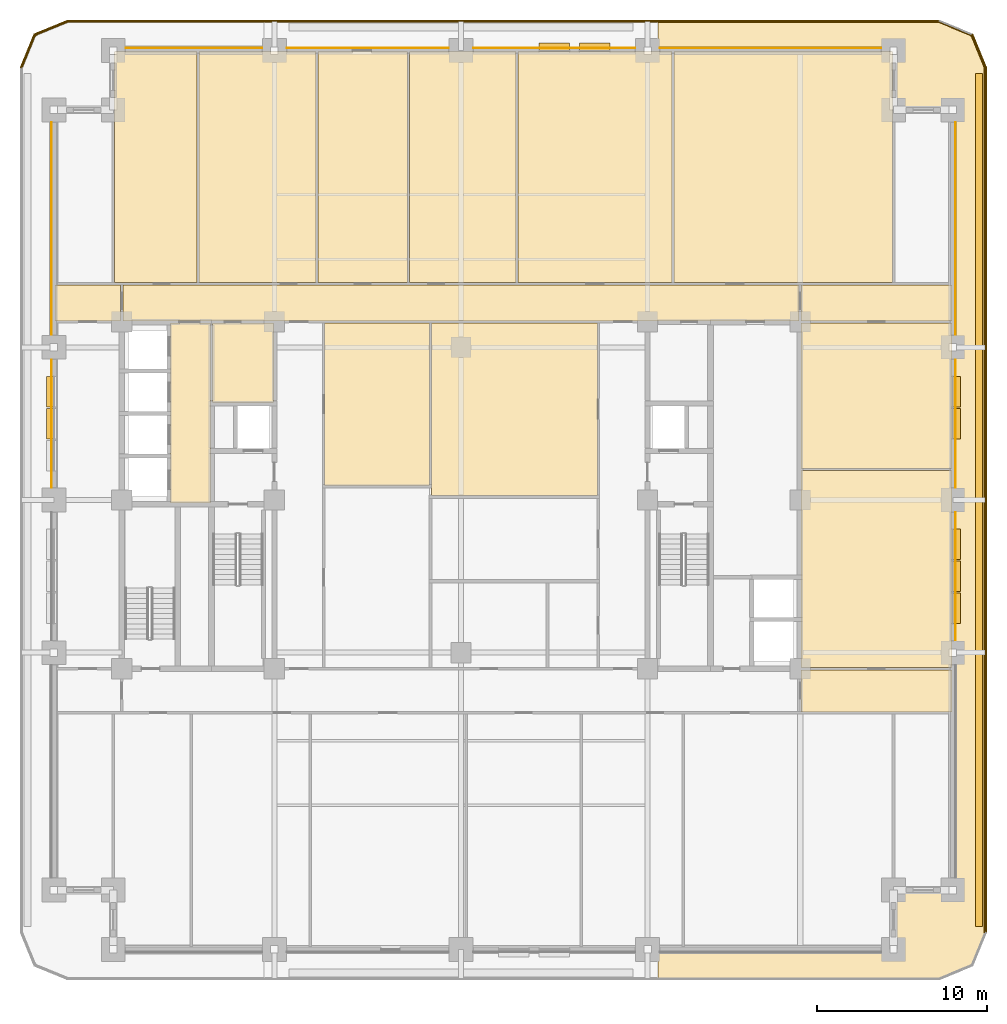
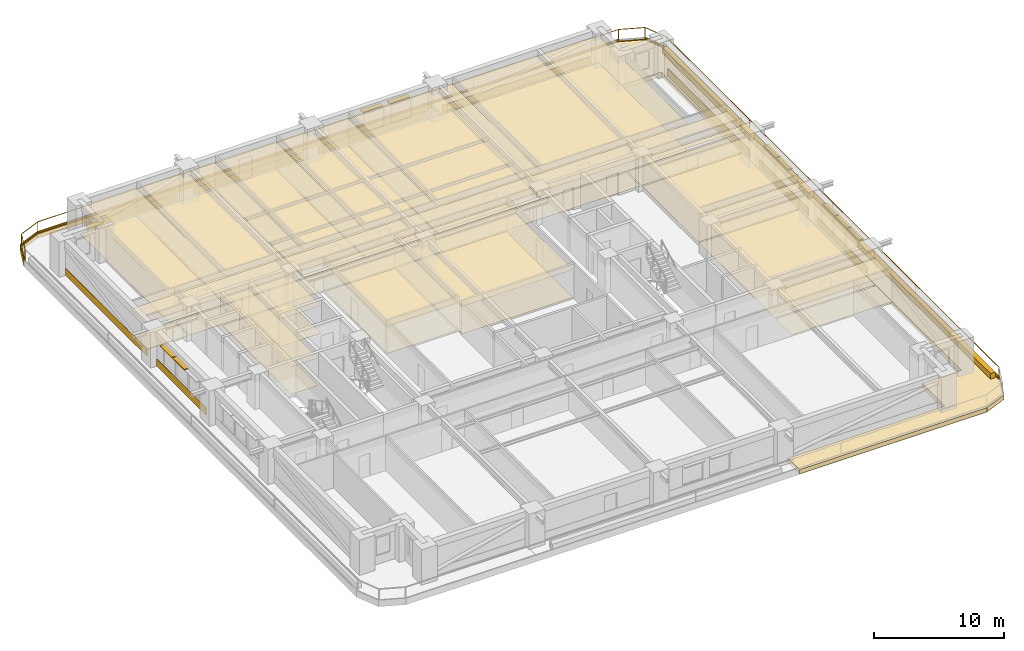
# One storey, part 13 of 14: 48 coverings, 9 shading devices, 2 railings.
"""IFC4 building model written with IfcOpenShell, lengths in metres."""

from ifc_helpers import new_model, si_unit, direction, frame, frame_2d, origin, origin_2d, place, context, subcontext, project, spatial, polyline, rectangle, outline, extrude, material, layer, layer_set, type_object, element, save


model = new_model("IFC4")

# Units and contexts
model_context = context("Model", 3, precision=1e-05, world=origin(), true_north=direction((0.0, 1.0)))
body_context = subcontext(model_context, "Body", "Model", "MODEL_VIEW")
ifc_project = project(units=[si_unit("LENGTHUNIT", "METRE"), si_unit("AREAUNIT", "SQUARE_METRE"), si_unit("VOLUMEUNIT", "CUBIC_METRE"), si_unit("PLANEANGLEUNIT", "RADIAN"), si_unit("MASSUNIT", "GRAM", prefix="KILO")], contexts=[model_context])

# Site, building, storey
site_placement = place(None, origin())
site = spatial("IfcSite", under=ifc_project, at=site_placement, CompositionType="ELEMENT")
building_placement = place(site_placement, origin())
building = spatial("IfcBuilding", under=site, at=building_placement, Name="Zulmaris Gate Convention Tower", CompositionType="ELEMENT")
storey_placement = place(building_placement, frame((0.0, 0.0, 30.77001953125)))
storey = spatial("IfcBuildingStorey", under=building, at=storey_placement, Name="L06", CompositionType="ELEMENT", Elevation=30.77001953125)

# Coverings
ifc_material_1 = material(Name="Precast concrete C40/50", Category="concrete")
ifc_layer_1 = layer(ifc_material_1, 0.0400390625, Name="Precast concrete C40/50")
ifc_layer_set_1 = layer_set([ifc_layer_1], Name="Precast concrete C40/50")
covering_type_1 = type_object("IfcCoveringType", Name="CLAD-SPANDREL-PRECAST", PredefinedType="CLADDING", material=ifc_layer_set_1)
covering_1_placement = place(storey_placement, frame((-11.72998046875, 26.64990234375, 0.0), z_axis=(0.0, 0.0, 1.0), x_axis=(-1.0, 0.0, 0.0)))
element("IfcCovering", 1, at=covering_1_placement, inside=storey, type_object=covering_type_1, Name="CLD-L06-N-0_0", PredefinedType="CLADDING", context=body_context, shape_type="SweptSolid", body=[
    extrude(rectangle(XDim=8.0400390625, YDim=0.0400390625, at=frame_2d((4.02001953125, 0.0))), origin(), (0.0, 0.0, 1.0), 0.679931640625),
])
for number, where, z_axis, x_axis, name in (
    (2, (-0.72998046875, 26.64990234375, 0.0), (0.0, 0.0, 1.0), (-1.0, 0.0, 0.0), "CLD-L06-N-1_0"),
    (3, (10.27001953125, 26.64990234375, 0.0), (0.0, 0.0, 1.0), (-1.0, 0.0, 0.0), "CLD-L06-N-2_0"),
):
    element("IfcCovering", number, at=place(storey_placement, frame(where, z_axis=z_axis, x_axis=x_axis)), inside=storey, type_object=covering_type_1, Name=name, PredefinedType="CLADDING", context=body_context, shape_type="SweptSolid", body=[
        extrude(rectangle(XDim=9.5400390625, YDim=0.0400390625, at=frame_2d((4.77001953125, 0.0))), origin(), (0.0, 0.0, 1.0), 0.679931640625),
    ])
covering_2_placement = place(storey_placement, frame((24.77001953125, 26.64990234375, 0.0), z_axis=(0.0, 0.0, 1.0), x_axis=(-1.0, 0.0, 0.0)))
element("IfcCovering", 4, at=covering_2_placement, inside=storey, type_object=covering_type_1, Name="CLD-L06-N-3_0", PredefinedType="CLADDING", context=body_context, shape_type="SweptSolid", body=[
    extrude(rectangle(XDim=13.0400390625, YDim=0.0400390625, at=frame_2d((6.52001953125, 0.0))), origin(), (0.0, 0.0, 1.0), 0.679931640625),
])
for number, where, z_axis, x_axis, name in (
    (5, (29.14990234375, -8.27001953125, 0.0), (0.0, 0.0, 1.0), (0.0, 1.0, 0.0), "CLD-L06-E-1_0"),
    (6, (29.14990234375, 0.72998046875, 0.0), (0.0, 0.0, 1.0), (0.0, 1.0, 0.0), "CLD-L06-E-2_0"),
):
    element("IfcCovering", number, at=place(storey_placement, frame(where, z_axis=z_axis, x_axis=x_axis)), inside=storey, type_object=covering_type_1, Name=name, PredefinedType="CLADDING", context=body_context, shape_type="SweptSolid", body=[
        extrude(rectangle(XDim=7.5400390625, YDim=0.0400390625, at=frame_2d((3.77001953125, 0.0))), origin(), (0.0, 0.0, 1.0), 0.679931640625),
    ])
covering_3_placement = place(storey_placement, frame((29.14990234375, 9.72998046875, 0.0), z_axis=(0.0, 0.0, 1.0), x_axis=(0.0, 1.0, 0.0)))
element("IfcCovering", 7, at=covering_3_placement, inside=storey, type_object=covering_type_1, Name="CLD-L06-E-3_0", PredefinedType="CLADDING", context=body_context, shape_type="SweptSolid", body=[
    extrude(rectangle(XDim=12.5400390625, YDim=0.0400390625, at=frame_2d((6.27001953125, 0.0))), origin(), (0.0, 0.0, 1.0), 0.679931640625),
])
covering_4_placement = place(storey_placement, frame((-24.14990234375, 8.27001953125, 0.0), z_axis=(0.0, 0.0, 1.0), x_axis=(0.0, -1.0, 0.0)))
element("IfcCovering", 8, at=covering_4_placement, inside=storey, type_object=covering_type_1, Name="CLD-L06-W-2_0", PredefinedType="CLADDING", context=body_context, shape_type="SweptSolid", body=[
    extrude(rectangle(XDim=7.5400390625, YDim=0.0400390625, at=frame_2d((3.77001953125, 0.0))), origin(), (0.0, 0.0, 1.0), 0.679931640625),
])
covering_5_placement = place(storey_placement, frame((-24.14990234375, 22.27001953125, 0.0), z_axis=(0.0, 0.0, 1.0), x_axis=(0.0, -1.0, 0.0)))
element("IfcCovering", 9, at=covering_5_placement, inside=storey, type_object=covering_type_1, Name="CLD-L06-W-3_0", PredefinedType="CLADDING", context=body_context, shape_type="SweptSolid", body=[
    extrude(rectangle(XDim=12.5400390625, YDim=0.0400390625, at=frame_2d((6.27001953125, 0.0))), origin(), (0.0, 0.0, 1.0), 0.679931640625),
])
ifc_material_2 = material(Name="White Glazed Architectural Precast Concrete C40/50", Category="concrete")
ifc_layer_2 = layer(ifc_material_2, 0.239990234375, Name="White Glazed Architectural Precast Concrete C40/50")
ifc_layer_set_2 = layer_set([ifc_layer_2], Name="White Glazed Architectural Precast Concrete C40/50")
covering_type_2 = type_object("IfcCoveringType", Name="CLAD-TRAY-DECK", PredefinedType="CLADDING", material=ifc_layer_set_2)
covering_6_placement = place(storey_placement, frame((0.0, 0.0, -0.449951171875)))
element("IfcCovering", 10, at=covering_6_placement, inside=storey, type_object=covering_type_2, Name="L06 East Rounded-Fascia Planter Tray Deck", PredefinedType="CLADDING", context=body_context, shape_type="SweptSolid", body=[
    extrude(outline(polyline([(28.199951171875, 28.300048828125), (30.179931640625, 27.47998046875), (31.0, 25.5), (31.0, -25.5), (30.179931640625, -27.47998046875), (28.199951171875, -28.300048828125), (11.60205078125, -28.300048828125), (11.60205078125, -26.5), (25.5, -26.5), (25.5, -23.0), (29.0, -23.0), (29.0, 23.0), (25.5, 23.0), (25.5, 26.5), (11.60205078125, 26.5), (11.60205078125, 28.300048828125), (28.199951171875, 28.300048828125)])), origin(), (0.0, 0.0, 1.0), 0.409912109375),
])
ifc_layer_3 = layer(ifc_material_2, 0.080078125, Name="White Glazed Architectural Precast Concrete C40/50")
ifc_layer_set_3 = layer_set([ifc_layer_3], Name="White Glazed Architectural Precast Concrete C40/50")
covering_type_3 = type_object("IfcCoveringType", Name="CLAD-TRAY-FASCIA", PredefinedType="CLADDING", material=ifc_layer_set_3)
covering_7_placement = place(storey_placement, frame((30.9599609375, -25.5, -0.489990234375), z_axis=(0.0, 0.0, 1.0), x_axis=(0.0, 1.0, 0.0)))
element("IfcCovering", 11, at=covering_7_placement, inside=storey, type_object=covering_type_3, Name="FSC-L06-TR-05", PredefinedType="CLADDING", context=body_context, shape_type="SweptSolid", body=[
    extrude(rectangle(XDim=51.0, YDim=0.080078125, at=frame_2d((25.5, 0.0))), origin(), (0.0, 0.0, 1.0), 0.60986328125),
])
covering_8_placement = place(storey_placement, frame((30.962890625, 25.484619140625, -0.489990234375), z_axis=(0.0, 0.0, 1.0), x_axis=(-0.382656984709, 0.923890487046, 0.0)))
element("IfcCovering", 12, at=covering_8_placement, inside=storey, type_object=covering_type_3, Name="FSC-L06-TR-06", PredefinedType="CLADDING", context=body_context, shape_type="SweptSolid", body=[
    extrude(rectangle(XDim=2.14306640625, YDim=0.080078125, at=frame_2d((1.071533203125, 0.0))), origin(), (0.0, 0.0, 1.0), 0.60986328125),
])
covering_9_placement = place(storey_placement, frame((28.199951171875, 28.260009765625, -0.489990234375), z_axis=(0.0, 0.0, 1.0), x_axis=(-1.0, 0.0, 0.0)))
element("IfcCovering", 13, at=covering_9_placement, inside=storey, type_object=covering_type_3, Name="FSC-L06-TR-08", PredefinedType="CLADDING", context=body_context, shape_type="SweptSolid", body=[
    extrude(rectangle(XDim=51.39990234375, YDim=0.080078125, at=frame_2d((25.699951171875, 0.0))), origin(), (0.0, 0.0, 1.0), 0.60986328125),
])
covering_10_placement = place(storey_placement, frame((-23.184814453125, 28.262939453125, -0.489990234375), z_axis=(0.0, 0.0, 1.0), x_axis=(-0.923873803533, -0.382697263049, 0.0)))
element("IfcCovering", 14, at=covering_10_placement, inside=storey, type_object=covering_type_3, Name="FSC-L06-TR-09", PredefinedType="CLADDING", context=body_context, shape_type="SweptSolid", body=[
    extrude(rectangle(XDim=2.142822265625, YDim=0.080078125, at=frame_2d((1.0712890625, 0.0))), origin(), (0.0, 0.0, 1.0), 0.60986328125),
])
covering_11_placement = place(storey_placement, frame((-25.142822265625, 27.464599609375, -0.489990234375), z_axis=(0.0, 0.0, 1.0), x_axis=(-0.382656984709, -0.923890487046, 0.0)))
element("IfcCovering", 15, at=covering_11_placement, inside=storey, type_object=covering_type_3, Name="FSC-L06-TR-10", PredefinedType="CLADDING", context=body_context, shape_type="SweptSolid", body=[
    extrude(rectangle(XDim=2.14306640625, YDim=0.080078125, at=frame_2d((1.071533203125, 0.0))), origin(), (0.0, 0.0, 1.0), 0.60986328125),
])
ifc_material_3 = material(Name="Mineral Fibre Acoustic Ceiling Tile")
ifc_layer_4 = layer(ifc_material_3, 0.02001953125, Name="Mineral Fibre Acoustic Ceiling Tile")
ifc_layer_set_4 = layer_set([ifc_layer_4], Name="Mineral Fibre Acoustic Ceiling Tile")
covering_type_4 = type_object("IfcCoveringType", Name="CLG-ACOUSTIC-600", PredefinedType="CEILING", material=ifc_layer_set_4)
covering_12_placement = place(storey_placement, frame((0.0, 0.0, 2.578125)))
element("IfcCovering", 16, at=covering_12_placement, inside=storey, type_object=covering_type_4, Name="CLG-L06-R11", PredefinedType="CEILING", context=body_context, shape_type="SweptSolid", body=[
    extrude(outline(polyline([(-14.639892578125, 5.760009765625), (-11.06005859375, 5.760009765625), (-11.06005859375, 10.43994140625), (-14.639892578125, 10.43994140625), (-14.639892578125, 5.760009765625)])), origin(), (0.0, 0.0, 1.0), 0.02001953125),
])
covering_13_placement = place(storey_placement, frame((0.0, 0.0, 2.578125)))
element("IfcCovering", 17, at=covering_13_placement, inside=storey, type_object=covering_type_4, Name="CLG-L06-R15", PredefinedType="CEILING", context=body_context, shape_type="SweptSolid", body=[
    extrude(outline(polyline([(-17.139892578125, -0.18994140625), (-14.760009765625, -0.18994140625), (-14.760009765625, 10.43994140625), (-17.139892578125, 10.43994140625), (-17.139892578125, -0.18994140625)])), origin(), (0.0, 0.0, 1.0), 0.02001953125),
])
covering_14_placement = place(storey_placement, frame((0.0, 0.0, 2.578125)))
element("IfcCovering", 18, at=covering_14_placement, inside=storey, type_object=covering_type_4, Name="CLG-L06-R26", PredefinedType="CEILING", context=body_context, shape_type="SweptSolid", body=[
    extrude(outline(polyline([(-19.93994140625, 10.56005859375), (19.93994140625, 10.56005859375), (19.93994140625, 12.68994140625), (-19.93994140625, 12.68994140625), (-19.93994140625, 10.56005859375)])), origin(), (0.0, 0.0, 1.0), 0.02001953125),
])
covering_15_placement = place(storey_placement, frame((0.0, 0.0, 2.630126953125)))
element("IfcCovering", 19, at=covering_15_placement, inside=storey, type_object=covering_type_4, Name="CLG-L06-R30", PredefinedType="CEILING", context=body_context, shape_type="SweptSolid", body=[
    extrude(outline(polyline([(-20.43994140625, 12.81005859375), (-15.56005859375, 12.81005859375), (-15.56005859375, 26.43994140625), (-20.43994140625, 26.43994140625), (-20.43994140625, 12.81005859375)])), origin(), (0.0, 0.0, 1.0), 0.02001953125),
])
covering_16_placement = place(storey_placement, frame((0.0, 0.0, 2.578125)))
element("IfcCovering", 20, at=covering_16_placement, inside=storey, type_object=covering_type_4, Name="CLG-L06-R31", PredefinedType="CEILING", context=body_context, shape_type="SweptSolid", body=[
    extrude(outline(polyline([(-15.43994140625, 12.81005859375), (-8.56005859375, 12.81005859375), (-8.56005859375, 26.43994140625), (-15.43994140625, 26.43994140625), (-15.43994140625, 12.81005859375)])), origin(), (0.0, 0.0, 1.0), 0.02001953125),
])
covering_17_placement = place(storey_placement, frame((0.0, 0.0, 2.630126953125)))
element("IfcCovering", 21, at=covering_17_placement, inside=storey, type_object=covering_type_4, Name="CLG-L06-R32", PredefinedType="CEILING", context=body_context, shape_type="SweptSolid", body=[
    extrude(outline(polyline([(-8.43994140625, 12.81005859375), (-3.159912109375, 12.81005859375), (-3.159912109375, 26.43994140625), (-8.43994140625, 26.43994140625), (-8.43994140625, 12.81005859375)])), origin(), (0.0, 0.0, 1.0), 0.02001953125),
])
covering_18_placement = place(storey_placement, frame((0.0, 0.0, 2.578125)))
element("IfcCovering", 22, at=covering_18_placement, inside=storey, type_object=covering_type_4, Name="CLG-L06-R33", PredefinedType="CEILING", context=body_context, shape_type="SweptSolid", body=[
    extrude(outline(polyline([(-3.0400390625, 12.81005859375), (3.239990234375, 12.81005859375), (3.239990234375, 26.43994140625), (-3.0400390625, 26.43994140625), (-3.0400390625, 12.81005859375)])), origin(), (0.0, 0.0, 1.0), 0.02001953125),
])
covering_19_placement = place(storey_placement, frame((0.0, 0.0, 2.578125)))
element("IfcCovering", 23, at=covering_19_placement, inside=storey, type_object=covering_type_4, Name="CLG-L06-R34", PredefinedType="CEILING", context=body_context, shape_type="SweptSolid", body=[
    extrude(outline(polyline([(3.360107421875, 12.81005859375), (12.43994140625, 12.81005859375), (12.43994140625, 26.43994140625), (3.360107421875, 26.43994140625), (3.360107421875, 12.81005859375)])), origin(), (0.0, 0.0, 1.0), 0.02001953125),
])
covering_20_placement = place(storey_placement, frame((0.0, 0.0, 2.578125)))
element("IfcCovering", 24, at=covering_20_placement, inside=storey, type_object=covering_type_4, Name="CLG-L06-R35", PredefinedType="CEILING", context=body_context, shape_type="SweptSolid", body=[
    extrude(outline(polyline([(12.56005859375, 12.81005859375), (25.43994140625, 12.81005859375), (25.43994140625, 26.43994140625), (12.56005859375, 26.43994140625), (12.56005859375, 12.81005859375)])), origin(), (0.0, 0.0, 1.0), 0.02001953125),
])
covering_21_placement = place(storey_placement, frame((0.0, 0.0, 2.578125)))
element("IfcCovering", 25, at=covering_21_placement, inside=storey, type_object=covering_type_4, Name="CLG-L06-R42", PredefinedType="CEILING", context=body_context, shape_type="SweptSolid", body=[
    extrude(outline(polyline([(-8.0400390625, 0.860107421875), (-1.860107421875, 0.860107421875), (-1.860107421875, 10.43994140625), (-8.0400390625, 10.43994140625), (-8.0400390625, 0.860107421875)])), origin(), (0.0, 0.0, 1.0), 0.02001953125),
])
covering_22_placement = place(storey_placement, frame((0.0, 0.0, 2.578125)))
element("IfcCovering", 26, at=covering_22_placement, inside=storey, type_object=covering_type_4, Name="CLG-L06-R44", PredefinedType="CEILING", context=body_context, shape_type="SweptSolid", body=[
    extrude(outline(polyline([(-1.739990234375, 0.260009765625), (8.0400390625, 0.260009765625), (8.0400390625, 10.43994140625), (-1.739990234375, 10.43994140625), (-1.739990234375, 0.260009765625)])), origin(), (0.0, 0.0, 1.0), 0.02001953125),
])
covering_23_placement = place(storey_placement, frame((0.0, 0.0, 2.578125)))
element("IfcCovering", 27, at=covering_23_placement, inside=storey, type_object=covering_type_4, Name="CLG-L06-R48", PredefinedType="CEILING", context=body_context, shape_type="SweptSolid", body=[
    extrude(outline(polyline([(-23.93994140625, 10.56005859375), (-20.06005859375, 10.56005859375), (-20.06005859375, 12.68994140625), (-23.93994140625, 12.68994140625), (-23.93994140625, 10.56005859375)])), origin(), (0.0, 0.0, 1.0), 0.02001953125),
])
covering_24_placement = place(storey_placement, frame((0.0, 0.0, 2.578125)))
element("IfcCovering", 28, at=covering_24_placement, inside=storey, type_object=covering_type_4, Name="CLG-L06-R51", PredefinedType="CEILING", context=body_context, shape_type="SweptSolid", body=[
    extrude(outline(polyline([(20.06005859375, 10.56005859375), (28.93994140625, 10.56005859375), (28.93994140625, 12.68994140625), (20.06005859375, 12.68994140625), (20.06005859375, 10.56005859375)])), origin(), (0.0, 0.0, 1.0), 0.02001953125),
])
covering_25_placement = place(storey_placement, frame((0.0, 0.0, 2.578125)))
element("IfcCovering", 29, at=covering_25_placement, inside=storey, type_object=covering_type_4, Name="CLG-L06-R52", PredefinedType="CEILING", context=body_context, shape_type="SweptSolid", body=[
    extrude(outline(polyline([(20.06005859375, -12.489990234375), (28.93994140625, -12.489990234375), (28.93994140625, -10.010009765625), (20.06005859375, -10.010009765625), (20.06005859375, -12.489990234375)])), origin(), (0.0, 0.0, 1.0), 0.02001953125),
])
covering_26_placement = place(storey_placement, frame((0.0, 0.0, 2.578125)))
element("IfcCovering", 30, at=covering_26_placement, inside=storey, type_object=covering_type_4, Name="CLG-L06-R53", PredefinedType="CEILING", context=body_context, shape_type="SweptSolid", body=[
    extrude(outline(polyline([(20.06005859375, 1.860107421875), (28.93994140625, 1.860107421875), (28.93994140625, 10.43994140625), (20.06005859375, 10.43994140625), (20.06005859375, 1.860107421875)])), origin(), (0.0, 0.0, 1.0), 0.02001953125),
])
covering_27_placement = place(storey_placement, frame((0.0, 0.0, 2.578125)))
element("IfcCovering", 31, at=covering_27_placement, inside=storey, type_object=covering_type_4, Name="CLG-L06-R54", PredefinedType="CEILING", context=body_context, shape_type="SweptSolid", body=[
    extrude(outline(polyline([(20.06005859375, -9.889892578125), (28.93994140625, -9.889892578125), (28.93994140625, 1.739990234375), (20.06005859375, 1.739990234375), (20.06005859375, -9.889892578125)])), origin(), (0.0, 0.0, 1.0), 0.02001953125),
])
ifc_material_4 = material(Name="Woven Acoustic Wool Carpet Tile")
ifc_layer_5 = layer(ifc_material_4, 0.02001953125, Name="Woven Acoustic Wool Carpet Tile")
ifc_layer_set_5 = layer_set([ifc_layer_5], Name="Woven Acoustic Wool Carpet Tile")
covering_type_5 = type_object("IfcCoveringType", Name="FLR-CARPET-12", PredefinedType="FLOORING", material=ifc_layer_set_5)
covering_28_placement = place(storey_placement, origin())
element("IfcCovering", 32, at=covering_28_placement, inside=storey, type_object=covering_type_5, Name="FLR-L06-R11", PredefinedType="FLOORING", context=body_context, shape_type="SweptSolid", body=[
    extrude(outline(polyline([(-14.639892578125, 5.760009765625), (-11.06005859375, 5.760009765625), (-11.06005859375, 10.43994140625), (-14.639892578125, 10.43994140625), (-14.639892578125, 5.760009765625)])), origin(), (0.0, 0.0, 1.0), 0.02001953125),
])
covering_29_placement = place(storey_placement, origin())
element("IfcCovering", 33, at=covering_29_placement, inside=storey, type_object=covering_type_5, Name="FLR-L06-R15", PredefinedType="FLOORING", context=body_context, shape_type="SweptSolid", body=[
    extrude(outline(polyline([(-17.139892578125, -0.18994140625), (-14.760009765625, -0.18994140625), (-14.760009765625, 10.43994140625), (-17.139892578125, 10.43994140625), (-17.139892578125, -0.18994140625)])), origin(), (0.0, 0.0, 1.0), 0.02001953125),
])
covering_30_placement = place(storey_placement, origin())
element("IfcCovering", 34, at=covering_30_placement, inside=storey, type_object=covering_type_5, Name="FLR-L06-R26", PredefinedType="FLOORING", context=body_context, shape_type="SweptSolid", body=[
    extrude(outline(polyline([(-19.93994140625, 10.56005859375), (19.93994140625, 10.56005859375), (19.93994140625, 12.68994140625), (-19.93994140625, 12.68994140625), (-19.93994140625, 10.56005859375)])), origin(), (0.0, 0.0, 1.0), 0.02001953125),
])
covering_31_placement = place(storey_placement, origin())
element("IfcCovering", 35, at=covering_31_placement, inside=storey, type_object=covering_type_5, Name="FLR-L06-R31", PredefinedType="FLOORING", context=body_context, shape_type="SweptSolid", body=[
    extrude(outline(polyline([(-15.43994140625, 12.81005859375), (-8.56005859375, 12.81005859375), (-8.56005859375, 26.43994140625), (-15.43994140625, 26.43994140625), (-15.43994140625, 12.81005859375)])), origin(), (0.0, 0.0, 1.0), 0.02001953125),
])
covering_32_placement = place(storey_placement, origin())
element("IfcCovering", 36, at=covering_32_placement, inside=storey, type_object=covering_type_5, Name="FLR-L06-R32", PredefinedType="FLOORING", context=body_context, shape_type="SweptSolid", body=[
    extrude(outline(polyline([(-8.43994140625, 12.81005859375), (-3.159912109375, 12.81005859375), (-3.159912109375, 26.43994140625), (-8.43994140625, 26.43994140625), (-8.43994140625, 12.81005859375)])), origin(), (0.0, 0.0, 1.0), 0.02001953125),
])
covering_33_placement = place(storey_placement, origin())
element("IfcCovering", 37, at=covering_33_placement, inside=storey, type_object=covering_type_5, Name="FLR-L06-R33", PredefinedType="FLOORING", context=body_context, shape_type="SweptSolid", body=[
    extrude(outline(polyline([(-3.0400390625, 12.81005859375), (3.239990234375, 12.81005859375), (3.239990234375, 26.43994140625), (-3.0400390625, 26.43994140625), (-3.0400390625, 12.81005859375)])), origin(), (0.0, 0.0, 1.0), 0.02001953125),
])
covering_34_placement = place(storey_placement, origin())
element("IfcCovering", 38, at=covering_34_placement, inside=storey, type_object=covering_type_5, Name="FLR-L06-R35", PredefinedType="FLOORING", context=body_context, shape_type="SweptSolid", body=[
    extrude(outline(polyline([(12.56005859375, 12.81005859375), (25.43994140625, 12.81005859375), (25.43994140625, 26.43994140625), (12.56005859375, 26.43994140625), (12.56005859375, 12.81005859375)])), origin(), (0.0, 0.0, 1.0), 0.02001953125),
])
covering_35_placement = place(storey_placement, origin())
element("IfcCovering", 39, at=covering_35_placement, inside=storey, type_object=covering_type_5, Name="FLR-L06-R44", PredefinedType="FLOORING", context=body_context, shape_type="SweptSolid", body=[
    extrude(outline(polyline([(-1.739990234375, 0.260009765625), (8.0400390625, 0.260009765625), (8.0400390625, 10.43994140625), (-1.739990234375, 10.43994140625), (-1.739990234375, 0.260009765625)])), origin(), (0.0, 0.0, 1.0), 0.02001953125),
])
covering_36_placement = place(storey_placement, origin())
element("IfcCovering", 40, at=covering_36_placement, inside=storey, type_object=covering_type_5, Name="FLR-L06-R48", PredefinedType="FLOORING", context=body_context, shape_type="SweptSolid", body=[
    extrude(outline(polyline([(-23.93994140625, 10.56005859375), (-20.06005859375, 10.56005859375), (-20.06005859375, 12.68994140625), (-23.93994140625, 12.68994140625), (-23.93994140625, 10.56005859375)])), origin(), (0.0, 0.0, 1.0), 0.02001953125),
])
covering_37_placement = place(storey_placement, origin())
element("IfcCovering", 41, at=covering_37_placement, inside=storey, type_object=covering_type_5, Name="FLR-L06-R51", PredefinedType="FLOORING", context=body_context, shape_type="SweptSolid", body=[
    extrude(outline(polyline([(20.06005859375, 10.56005859375), (28.93994140625, 10.56005859375), (28.93994140625, 12.68994140625), (20.06005859375, 12.68994140625), (20.06005859375, 10.56005859375)])), origin(), (0.0, 0.0, 1.0), 0.02001953125),
])
covering_38_placement = place(storey_placement, origin())
element("IfcCovering", 42, at=covering_38_placement, inside=storey, type_object=covering_type_5, Name="FLR-L06-R52", PredefinedType="FLOORING", context=body_context, shape_type="SweptSolid", body=[
    extrude(outline(polyline([(20.06005859375, -12.489990234375), (28.93994140625, -12.489990234375), (28.93994140625, -10.010009765625), (20.06005859375, -10.010009765625), (20.06005859375, -12.489990234375)])), origin(), (0.0, 0.0, 1.0), 0.02001953125),
])
covering_39_placement = place(storey_placement, origin())
element("IfcCovering", 43, at=covering_39_placement, inside=storey, type_object=covering_type_5, Name="FLR-L06-R53", PredefinedType="FLOORING", context=body_context, shape_type="SweptSolid", body=[
    extrude(outline(polyline([(20.06005859375, 1.860107421875), (28.93994140625, 1.860107421875), (28.93994140625, 10.43994140625), (20.06005859375, 10.43994140625), (20.06005859375, 1.860107421875)])), origin(), (0.0, 0.0, 1.0), 0.02001953125),
])
covering_40_placement = place(storey_placement, origin())
element("IfcCovering", 44, at=covering_40_placement, inside=storey, type_object=covering_type_5, Name="FLR-L06-R54", PredefinedType="FLOORING", context=body_context, shape_type="SweptSolid", body=[
    extrude(outline(polyline([(20.06005859375, -9.889892578125), (28.93994140625, -9.889892578125), (28.93994140625, 1.739990234375), (20.06005859375, 1.739990234375), (20.06005859375, -9.889892578125)])), origin(), (0.0, 0.0, 1.0), 0.02001953125),
])
ifc_material_5 = material(Name="Engineered Teak Parquet Flooring")
ifc_layer_6 = layer(ifc_material_5, 0.02001953125, Name="Engineered Teak Parquet Flooring")
ifc_layer_set_6 = layer_set([ifc_layer_6], Name="Engineered Teak Parquet Flooring")
covering_type_6 = type_object("IfcCoveringType", Name="FLR-TIMBER-18", PredefinedType="FLOORING", material=ifc_layer_set_6)
covering_41_placement = place(storey_placement, origin())
element("IfcCovering", 45, at=covering_41_placement, inside=storey, type_object=covering_type_6, Name="FLR-L06-R30", PredefinedType="FLOORING", context=body_context, shape_type="SweptSolid", body=[
    extrude(outline(polyline([(-20.43994140625, 12.81005859375), (-15.56005859375, 12.81005859375), (-15.56005859375, 26.43994140625), (-20.43994140625, 26.43994140625), (-20.43994140625, 12.81005859375)])), origin(), (0.0, 0.0, 1.0), 0.02001953125),
])
covering_42_placement = place(storey_placement, origin())
element("IfcCovering", 46, at=covering_42_placement, inside=storey, type_object=covering_type_6, Name="FLR-L06-R34", PredefinedType="FLOORING", context=body_context, shape_type="SweptSolid", body=[
    extrude(outline(polyline([(3.360107421875, 12.81005859375), (12.43994140625, 12.81005859375), (12.43994140625, 26.43994140625), (3.360107421875, 26.43994140625), (3.360107421875, 12.81005859375)])), origin(), (0.0, 0.0, 1.0), 0.02001953125),
])
covering_43_placement = place(storey_placement, origin())
element("IfcCovering", 47, at=covering_43_placement, inside=storey, type_object=covering_type_6, Name="FLR-L06-R42", PredefinedType="FLOORING", context=body_context, shape_type="SweptSolid", body=[
    extrude(outline(polyline([(-8.0400390625, 0.860107421875), (-1.860107421875, 0.860107421875), (-1.860107421875, 10.43994140625), (-8.0400390625, 10.43994140625), (-8.0400390625, 0.860107421875)])), origin(), (0.0, 0.0, 1.0), 0.02001953125),
])
ifc_material_6 = material(Name="Botanical Green Glazed Precast Concrete C40/50", Category="concrete")
ifc_layer_7 = layer(ifc_material_6, 0.419921875, Name="Botanical Green Glazed Precast Concrete C40/50")
ifc_layer_set_7 = layer_set([ifc_layer_7], Name="Botanical Green Glazed Precast Concrete C40/50")
covering_type_7 = type_object("IfcCoveringType", Name="PLANTER-BOX-200", PredefinedType="CLADDING", material=ifc_layer_set_7)
covering_44_placement = place(storey_placement, frame((0.0, 0.0, -0.0400390625)))
element("IfcCovering", 48, at=covering_44_placement, inside=storey, type_object=covering_type_7, Name="L06 E Full-Length Balcony Tree Planter Trough", PredefinedType="CLADDING", context=body_context, shape_type="SweptSolid", body=[
    extrude(outline(polyline([(30.340087890625, -25.14990234375), (30.760009765625, -25.14990234375), (30.760009765625, 25.14990234375), (30.340087890625, 25.14990234375), (30.340087890625, -25.14990234375)])), origin(), (0.0, 0.0, 1.0), 0.52001953125),
])

# Railings
ifc_material_7 = material(Name="Laminated Glass and Stainless Steel", Category="steel")
railing_type = type_object("IfcRailingType", Name="RL-BALC-1150", PredefinedType="BALUSTRADE", material=ifc_material_7)
railing_1_placement = place(storey_placement, frame((30.8798828125, -25.5, -0.0400390625)))
element("IfcRailing", 49, at=railing_1_placement, inside=storey, type_object=railing_type, Name="RL-L06-BALC-E", PredefinedType="BALUSTRADE", context=body_context, shape_type="SweptSolid", body=[
    extrude(rectangle(XDim=0.048095703125, YDim=0.048095703125, at=origin_2d()), frame((0.0, 0.0, 1.1259765625), z_axis=(0.0, 1.0, 0.0), x_axis=(-1.0, 0.0, 0.0)), (0.0, 0.0, 1.0), 51.0),
    extrude(rectangle(XDim=0.048095703125, YDim=0.048095703125, at=origin_2d()), frame((0.0, 0.0, 0.02392578125), z_axis=(0.0, 1.0, 0.0), x_axis=(-1.0, 0.0, 0.0)), (0.0, 0.0, 1.0), 51.0),
    extrude(rectangle(XDim=0.0419921875, YDim=0.0419921875, at=origin_2d()), origin(), (0.0, 0.0, 1.0), 1.101806640625),
    extrude(rectangle(XDim=0.0419921875, YDim=0.0419921875, at=origin_2d()), frame((0.0, 12.75, 0.0)), (0.0, 0.0, 1.0), 1.101806640625),
    extrude(rectangle(XDim=0.0419921875, YDim=0.0419921875, at=origin_2d()), frame((0.0, 25.5, 0.0)), (0.0, 0.0, 1.0), 1.101806640625),
    extrude(rectangle(XDim=0.0419921875, YDim=0.0419921875, at=origin_2d()), frame((0.0, 38.25, 0.0)), (0.0, 0.0, 1.0), 1.101806640625),
    extrude(rectangle(XDim=0.0419921875, YDim=0.0419921875, at=origin_2d()), frame((0.0, 51.0, 0.0)), (0.0, 0.0, 1.0), 1.101806640625),
])
railing_2_placement = place(storey_placement, frame((30.8798828125, 25.5, -0.0400390625)))
element("IfcRailing", 50, at=railing_2_placement, inside=storey, type_object=railing_type, Name="RL-L06-BALC-N", PredefinedType="BALUSTRADE", context=body_context, shape_type="SweptSolid", body=[
    extrude(rectangle(XDim=0.048095703125, YDim=0.048095703125, at=origin_2d()), frame((0.0, 0.0, 1.1259765625), z_axis=(-0.382670664694, 0.92388482095, 0.0), x_axis=(-0.92388482095, -0.382670664694, 0.0)), (0.0, 0.0, 1.0), 2.051025390625),
    extrude(rectangle(XDim=0.048095703125, YDim=0.048095703125, at=origin_2d()), frame((0.0, 0.0, 0.02392578125), z_axis=(-0.382670664694, 0.92388482095, 0.0), x_axis=(-0.92388482095, -0.382670664694, 0.0)), (0.0, 0.0, 1.0), 2.051025390625),
    extrude(rectangle(XDim=0.048095703125, YDim=0.048095703125, at=origin_2d()), frame((-0.784912109375, 1.89501953125, 1.1259765625), z_axis=(-0.92388482095, 0.382670664694, 0.0), x_axis=(-0.382670664694, -0.92388482095, 0.0)), (0.0, 0.0, 1.0), 2.051025390625),
    extrude(rectangle(XDim=0.048095703125, YDim=0.048095703125, at=origin_2d()), frame((-0.784912109375, 1.89501953125, 0.02392578125), z_axis=(-0.92388482095, 0.382670664694, 0.0), x_axis=(-0.382670664694, -0.92388482095, 0.0)), (0.0, 0.0, 1.0), 2.051025390625),
    extrude(rectangle(XDim=0.048095703125, YDim=0.048095703125, at=origin_2d()), frame((-2.679931640625, 2.679931640625, 1.1259765625), z_axis=(-1.0, 0.0, 0.0), x_axis=(0.0, -1.0, 0.0)), (0.0, 0.0, 1.0), 51.39990234375),
    extrude(rectangle(XDim=0.048095703125, YDim=0.048095703125, at=origin_2d()), frame((-2.679931640625, 2.679931640625, 0.02392578125), z_axis=(-1.0, 0.0, 0.0), x_axis=(0.0, -1.0, 0.0)), (0.0, 0.0, 1.0), 51.39990234375),
    extrude(rectangle(XDim=0.048095703125, YDim=0.048095703125, at=origin_2d()), frame((-54.079833984375, 2.679931640625, 1.1259765625), z_axis=(-0.92388482095, -0.382670664694, 0.0), x_axis=(0.382670664694, -0.92388482095, 0.0)), (0.0, 0.0, 1.0), 2.051025390625),
    extrude(rectangle(XDim=0.048095703125, YDim=0.048095703125, at=origin_2d()), frame((-54.079833984375, 2.679931640625, 0.02392578125), z_axis=(-0.92388482095, -0.382670664694, 0.0), x_axis=(0.382670664694, -0.92388482095, 0.0)), (0.0, 0.0, 1.0), 2.051025390625),
    extrude(rectangle(XDim=0.048095703125, YDim=0.048095703125, at=origin_2d()), frame((-55.974853515625, 1.89501953125, 1.1259765625), z_axis=(-0.382670664694, -0.92388482095, 0.0), x_axis=(0.92388482095, -0.382670664694, 0.0)), (0.0, 0.0, 1.0), 2.051025390625),
    extrude(rectangle(XDim=0.048095703125, YDim=0.048095703125, at=origin_2d()), frame((-55.974853515625, 1.89501953125, 0.02392578125), z_axis=(-0.382670664694, -0.92388482095, 0.0), x_axis=(0.92388482095, -0.382670664694, 0.0)), (0.0, 0.0, 1.0), 2.051025390625),
    extrude(rectangle(XDim=0.0419921875, YDim=0.0419921875, at=origin_2d()), origin(), (0.0, 0.0, 1.0), 1.101806640625),
    extrude(rectangle(XDim=0.0419921875, YDim=0.0419921875, at=origin_2d()), frame((-0.784912109375, 1.89501953125, 0.0)), (0.0, 0.0, 1.0), 1.101806640625),
    extrude(rectangle(XDim=0.0419921875, YDim=0.0419921875, at=origin_2d()), frame((-2.679931640625, 2.679931640625, 0.0)), (0.0, 0.0, 1.0), 1.101806640625),
    extrude(rectangle(XDim=0.0419921875, YDim=0.0419921875, at=origin_2d()), frame((-15.52978515625, 2.679931640625, 0.0)), (0.0, 0.0, 1.0), 1.101806640625),
    extrude(rectangle(XDim=0.0419921875, YDim=0.0419921875, at=origin_2d()), frame((-28.3798828125, 2.679931640625, 0.0)), (0.0, 0.0, 1.0), 1.101806640625),
    extrude(rectangle(XDim=0.0419921875, YDim=0.0419921875, at=origin_2d()), frame((-41.22998046875, 2.679931640625, 0.0)), (0.0, 0.0, 1.0), 1.101806640625),
    extrude(rectangle(XDim=0.0419921875, YDim=0.0419921875, at=origin_2d()), frame((-54.079833984375, 2.679931640625, 0.0)), (0.0, 0.0, 1.0), 1.101806640625),
    extrude(rectangle(XDim=0.0419921875, YDim=0.0419921875, at=origin_2d()), frame((-55.974853515625, 1.89501953125, 0.0)), (0.0, 0.0, 1.0), 1.101806640625),
    extrude(rectangle(XDim=0.0419921875, YDim=0.0419921875, at=origin_2d()), frame((-56.759765625, 0.0, 0.0)), (0.0, 0.0, 1.0), 1.101806640625),
])

# Shading devices
ifc_material_8 = material(Name="Glazed Ceramic Terracotta", Category="masonry")
ifc_layer_8 = layer(ifc_material_8, 0.070068359375, Name="Glazed Ceramic Terracotta")
ifc_layer_set_8 = layer_set([ifc_layer_8], Name="Glazed Ceramic Terracotta")
shading_device_type = type_object("IfcShadingDeviceType", Name="SHD-SUNSHADE-TC", PredefinedType="AWNING", material=ifc_layer_set_8)
for number, where, z_axis, x_axis, name in (
    (51, (8.784912109375, 26.719970703125, 2.530029296875), (0.0, 0.0, 1.0), (-1.0, 0.0, 0.0), "SHD-EW-L06-N-2_0-1"),
    (52, (6.39990234375, 26.719970703125, 2.530029296875), (0.0, 0.0, 1.0), (-1.0, 0.0, 0.0), "SHD-EW-L06-N-2_0-2"),
    (53, (29.219970703125, -7.284912109375, 2.530029296875), (0.0, 0.0, 1.0), (0.0, 1.0, 0.0), "SHD-EW-L06-E-1_0-1"),
    (54, (29.219970703125, -5.39990234375, 2.530029296875), (0.0, 0.0, 1.0), (0.0, 1.0, 0.0), "SHD-EW-L06-E-1_0-2"),
    (55, (29.219970703125, -3.514892578125, 2.530029296875), (0.0, 0.0, 1.0), (0.0, 1.0, 0.0), "SHD-EW-L06-E-1_0-3"),
    (56, (29.219970703125, 3.60009765625, 2.530029296875), (0.0, 0.0, 1.0), (0.0, 1.0, 0.0), "SHD-EW-L06-E-2_0-2"),
    (57, (29.219970703125, 5.485107421875, 2.530029296875), (0.0, 0.0, 1.0), (0.0, 1.0, 0.0), "SHD-EW-L06-E-2_0-3"),
    (58, (-24.219970703125, 7.284912109375, 2.530029296875), (0.0, 0.0, 1.0), (0.0, -1.0, 0.0), "SHD-EW-L06-W-2_0-1"),
    (59, (-24.219970703125, 5.39990234375, 2.530029296875), (0.0, 0.0, 1.0), (0.0, -1.0, 0.0), "SHD-EW-L06-W-2_0-2"),
):
    element("IfcShadingDevice", number, at=place(storey_placement, frame(where, z_axis=z_axis, x_axis=x_axis)), inside=storey, type_object=shading_device_type, Name=name, PredefinedType="AWNING", context=body_context, shape_type="SweptSolid", body=[
        extrude(rectangle(XDim=1.7998046875, YDim=0.43994140625, at=frame_2d((0.89990234375, 0.0))), origin(), (0.0, 0.0, 1.0), 0.070068359375),
    ])

save(model, "model.ifc")
